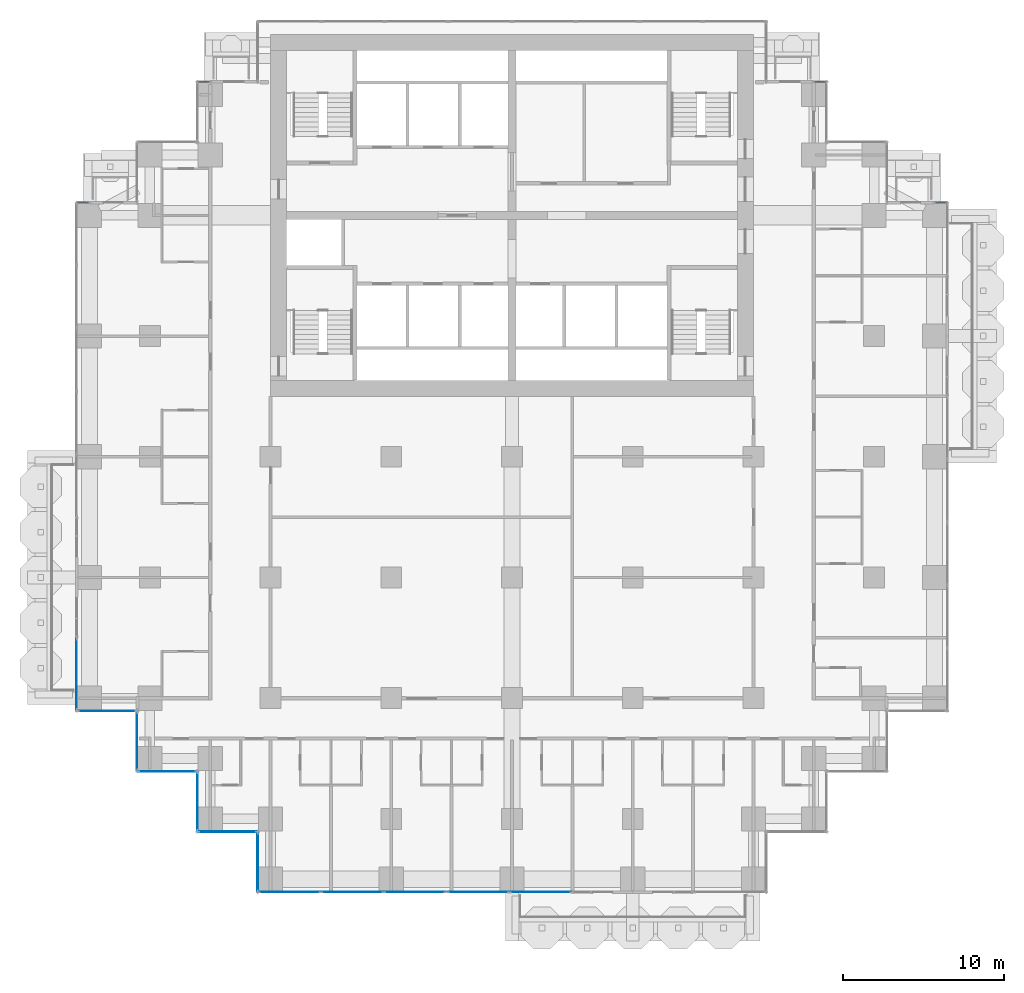
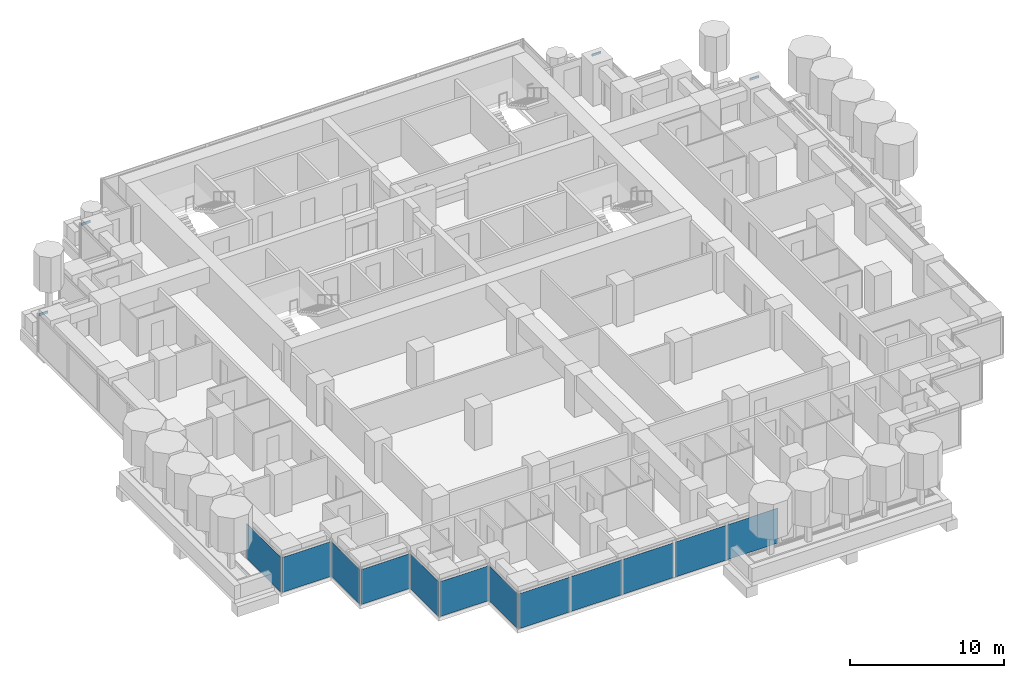
# One storey, part 7 of 20: 12 plates, 4 members, 13 elements without a shape of their own.
"""IFC4 building model written with IfcOpenShell, lengths in metres."""

from ifc_helpers import new_model, si_unit, direction, frame, origin, origin_2d, place, context, subcontext, project, spatial, rectangle, extrude, material, layer, layer_set, material_profile, profile_set, type_object, element, aggregate, save


model = new_model("IFC4")

# Units and contexts
model_context = context("Model", 3, precision=1e-05, world=origin(), true_north=direction((0.0, 1.0)))
body_context = subcontext(model_context, "Body", "Model", "MODEL_VIEW")
ifc_project = project(units=[si_unit("LENGTHUNIT", "METRE"), si_unit("AREAUNIT", "SQUARE_METRE"), si_unit("VOLUMEUNIT", "CUBIC_METRE"), si_unit("PLANEANGLEUNIT", "RADIAN"), si_unit("MASSUNIT", "GRAM", prefix="KILO")], contexts=[model_context])

# Site, building, storey
site_placement = place(None, origin())
site = spatial("IfcSite", under=ifc_project, at=site_placement, CompositionType="ELEMENT")
building_placement = place(site_placement, origin())
building = spatial("IfcBuilding", under=site, at=building_placement, Name="Pilkhan Gate Tower", CompositionType="ELEMENT")
storey_placement = place(building_placement, frame((0.0, 0.0, 98.89990234375)))
storey = spatial("IfcBuildingStorey", under=building, at=storey_placement, Name="L24", CompositionType="ELEMENT", Elevation=98.89990234375)

# Curtain wall, member
ifc_material_1 = material(Name="Pale anodised aluminium, clear low-iron double glazing", Category="aluminium")
curtain_wall_type = type_object("IfcCurtainWallType", Name="Hotel unitised curtain wall CW-H", PredefinedType="USERDEFINED", material=ifc_material_1)
curtain_wall_1_placement = place(storey_placement, origin())
curtain_wall_1 = element("IfcCurtainWall", 1, at=curtain_wall_1_placement, inside=storey, type_object=curtain_wall_type, Name="Hotel unitised curtain wall CW-H L24 N", ObjectType="UNITISED CURTAIN WALL", PredefinedType="USERDEFINED")
ifc_material_2 = material(Name="Pale anodised aluminium", Category="aluminium")
ifc_material_profile = material_profile(ifc_material_2, rectangle(XDim=0.06494140625, YDim=0.179931640625, at=origin_2d()), Name="Transom 180x65")
ifc_profile_set = profile_set([ifc_material_profile], Name="Pale anodised aluminium")
member_type = type_object("IfcMemberType", Name="Transom CW-H 180x65", PredefinedType="USERDEFINED", material=ifc_profile_set)
member_1_placement = place(storey_placement, frame((101.31494140625, 83.294921875, 2.860107421875), z_axis=(1.0, 0.0, 0.0), x_axis=(0.0, 1.0, 0.0)))
member_1 = element("IfcMember", 2, at=member_1_placement, type_object=member_type, Name="CW-H transom 1", ObjectType="TRANSOM", PredefinedType="USERDEFINED", context=body_context, shape_type="SweptSolid", body=[
    extrude(rectangle(XDim=0.06494140625, YDim=0.179931640625, at=origin_2d()), origin(), (0.0, 0.0, 1.0), 0.6650390625),
])
aggregate(curtain_wall_1, [member_1])

curtain_wall_2_placement = place(storey_placement, origin())
curtain_wall_2 = element("IfcCurtainWall", 3, at=curtain_wall_2_placement, inside=storey, type_object=curtain_wall_type, Name="Hotel unitised curtain wall CW-H L24 N", ObjectType="UNITISED CURTAIN WALL", PredefinedType="USERDEFINED")
member_2_placement = place(storey_placement, frame((93.81494140625, 90.794921875, 2.860107421875), z_axis=(1.0, 0.0, 0.0), x_axis=(0.0, 1.0, 0.0)))
member_2 = element("IfcMember", 4, at=member_2_placement, type_object=member_type, Name="CW-H transom 1", ObjectType="TRANSOM", PredefinedType="USERDEFINED", context=body_context, shape_type="SweptSolid", body=[
    extrude(rectangle(XDim=0.06494140625, YDim=0.179931640625, at=origin_2d()), origin(), (0.0, 0.0, 1.0), 0.6650390625),
])
aggregate(curtain_wall_2, [member_2])

curtain_wall_3_placement = place(storey_placement, origin())
curtain_wall_3 = element("IfcCurtainWall", 5, at=curtain_wall_3_placement, inside=storey, type_object=curtain_wall_type, Name="Hotel unitised curtain wall CW-H L24 N", ObjectType="UNITISED CURTAIN WALL", PredefinedType="USERDEFINED")
member_3_placement = place(storey_placement, frame((55.52001953125, 90.794921875, 2.860107421875), z_axis=(1.0, 0.0, 0.0), x_axis=(0.0, 1.0, 0.0)))
member_3 = element("IfcMember", 6, at=member_3_placement, type_object=member_type, Name="CW-H transom 1", ObjectType="TRANSOM", PredefinedType="USERDEFINED", context=body_context, shape_type="SweptSolid", body=[
    extrude(rectangle(XDim=0.06494140625, YDim=0.179931640625, at=origin_2d()), origin(), (0.0, 0.0, 1.0), 0.6650390625),
])
aggregate(curtain_wall_3, [member_3])

curtain_wall_4_placement = place(storey_placement, origin())
curtain_wall_4 = element("IfcCurtainWall", 7, at=curtain_wall_4_placement, inside=storey, type_object=curtain_wall_type, Name="Hotel unitised curtain wall CW-H L24 N", ObjectType="UNITISED CURTAIN WALL", PredefinedType="USERDEFINED")
member_4_placement = place(storey_placement, frame((48.02001953125, 83.294921875, 2.860107421875), z_axis=(1.0, 0.0, 0.0), x_axis=(0.0, 1.0, 0.0)))
member_4 = element("IfcMember", 8, at=member_4_placement, type_object=member_type, Name="CW-H transom 1", ObjectType="TRANSOM", PredefinedType="USERDEFINED", context=body_context, shape_type="SweptSolid", body=[
    extrude(rectangle(XDim=0.06494140625, YDim=0.179931640625, at=origin_2d()), origin(), (0.0, 0.0, 1.0), 0.6650390625),
])
aggregate(curtain_wall_4, [member_4])

# Curtain wall, plate
curtain_wall_5_placement = place(storey_placement, origin())
curtain_wall_5 = element("IfcCurtainWall", 9, at=curtain_wall_5_placement, inside=storey, type_object=curtain_wall_type, Name="Hotel unitised curtain wall CW-H L24 W", ObjectType="UNITISED CURTAIN WALL", PredefinedType="USERDEFINED")
ifc_material_3 = material(Name="Clear low-iron double glazing", Category="glass")
ifc_layer = layer(ifc_material_3, 0.035888671875)
ifc_layer_set = layer_set([ifc_layer], Name="Glass panel CW-H 36")
plate_type = type_object("IfcPlateType", Name="Glass panel CW-H 36", PredefinedType="CURTAIN_PANEL", material=ifc_layer_set)
plate_1_placement = place(storey_placement, frame((47.955078125, 53.9775390625, 0.0), z_axis=(0.0, 0.0, 1.0), x_axis=(0.0, 1.0, 0.0)))
plate_1 = element("IfcPlate", 10, at=plate_1_placement, type_object=plate_type, Name="CW-H panel 1", PredefinedType="CURTAIN_PANEL", context=body_context, shape_type="SweptSolid", body=[
    extrude(rectangle(XDim=4.4150390625, YDim=0.035888671875, at=origin_2d()), origin(), (0.0, 0.0, 1.0), 2.77001953125),
])
aggregate(curtain_wall_5, [plate_1])

curtain_wall_6_placement = place(storey_placement, origin())
curtain_wall_6 = element("IfcCurtainWall", 11, at=curtain_wall_6_placement, inside=storey, type_object=curtain_wall_type, Name="Hotel unitised curtain wall CW-H L24 S", ObjectType="UNITISED CURTAIN WALL", PredefinedType="USERDEFINED")
plate_2_placement = place(storey_placement, frame((49.830078125, 51.705078125, 0.0), z_axis=(0.0, 0.0, 1.0), x_axis=(1.0, 0.0, 0.0)))
plate_2 = element("IfcPlate", 12, at=plate_2_placement, type_object=plate_type, Name="CW-H panel 1", PredefinedType="CURTAIN_PANEL", context=body_context, shape_type="SweptSolid", body=[
    extrude(rectangle(XDim=3.6201171875, YDim=0.035888671875, at=origin_2d()), origin(), (0.0, 0.0, 1.0), 2.77001953125),
])
aggregate(curtain_wall_6, [plate_2])

curtain_wall_7_placement = place(storey_placement, origin())
curtain_wall_7 = element("IfcCurtainWall", 13, at=curtain_wall_7_placement, inside=storey, type_object=curtain_wall_type, Name="Hotel unitised curtain wall CW-H L24 W", ObjectType="UNITISED CURTAIN WALL", PredefinedType="USERDEFINED")
plate_3_placement = place(storey_placement, frame((51.705078125, 49.830078125, 0.0), z_axis=(0.0, 0.0, 1.0), x_axis=(0.0, 1.0, 0.0)))
plate_3 = element("IfcPlate", 14, at=plate_3_placement, type_object=plate_type, Name="CW-H panel 1", PredefinedType="CURTAIN_PANEL", context=body_context, shape_type="SweptSolid", body=[
    extrude(rectangle(XDim=3.6201171875, YDim=0.035888671875, at=origin_2d()), origin(), (0.0, 0.0, 1.0), 2.77001953125),
])
aggregate(curtain_wall_7, [plate_3])

curtain_wall_8_placement = place(storey_placement, origin())
curtain_wall_8 = element("IfcCurtainWall", 15, at=curtain_wall_8_placement, inside=storey, type_object=curtain_wall_type, Name="Hotel unitised curtain wall CW-H L24 S", ObjectType="UNITISED CURTAIN WALL", PredefinedType="USERDEFINED")
plate_4_placement = place(storey_placement, frame((53.580078125, 47.955078125, 0.0), z_axis=(0.0, 0.0, 1.0), x_axis=(1.0, 0.0, 0.0)))
plate_4 = element("IfcPlate", 16, at=plate_4_placement, type_object=plate_type, Name="CW-H panel 1", PredefinedType="CURTAIN_PANEL", context=body_context, shape_type="SweptSolid", body=[
    extrude(rectangle(XDim=3.6201171875, YDim=0.035888671875, at=origin_2d()), origin(), (0.0, 0.0, 1.0), 2.77001953125),
])
aggregate(curtain_wall_8, [plate_4])

curtain_wall_9_placement = place(storey_placement, origin())
curtain_wall_9 = element("IfcCurtainWall", 17, at=curtain_wall_9_placement, inside=storey, type_object=curtain_wall_type, Name="Hotel unitised curtain wall CW-H L24 W", ObjectType="UNITISED CURTAIN WALL", PredefinedType="USERDEFINED")
plate_5_placement = place(storey_placement, frame((55.455078125, 46.080078125, 0.0), z_axis=(0.0, 0.0, 1.0), x_axis=(0.0, 1.0, 0.0)))
plate_5 = element("IfcPlate", 18, at=plate_5_placement, type_object=plate_type, Name="CW-H panel 1", PredefinedType="CURTAIN_PANEL", context=body_context, shape_type="SweptSolid", body=[
    extrude(rectangle(XDim=3.6201171875, YDim=0.035888671875, at=origin_2d()), origin(), (0.0, 0.0, 1.0), 2.77001953125),
])
aggregate(curtain_wall_9, [plate_5])

curtain_wall_10_placement = place(storey_placement, origin())
curtain_wall_10 = element("IfcCurtainWall", 19, at=curtain_wall_10_placement, inside=storey, type_object=curtain_wall_type, Name="Hotel unitised curtain wall CW-H L24 S", ObjectType="UNITISED CURTAIN WALL", PredefinedType="USERDEFINED")
plate_6_placement = place(storey_placement, frame((57.330078125, 44.205078125, 0.0), z_axis=(0.0, 0.0, 1.0), x_axis=(1.0, 0.0, 0.0)))
plate_6 = element("IfcPlate", 20, at=plate_6_placement, type_object=plate_type, Name="CW-H panel 1", PredefinedType="CURTAIN_PANEL", context=body_context, shape_type="SweptSolid", body=[
    extrude(rectangle(XDim=3.6201171875, YDim=0.035888671875, at=origin_2d()), origin(), (0.0, 0.0, 1.0), 2.77001953125),
])
aggregate(curtain_wall_10, [plate_6])

curtain_wall_11_placement = place(storey_placement, origin())
curtain_wall_11 = element("IfcCurtainWall", 21, at=curtain_wall_11_placement, inside=storey, type_object=curtain_wall_type, Name="Hotel unitised curtain wall CW-H L24 W", ObjectType="UNITISED CURTAIN WALL", PredefinedType="USERDEFINED")
plate_7_placement = place(storey_placement, frame((59.205078125, 42.330078125, 0.0), z_axis=(0.0, 0.0, 1.0), x_axis=(0.0, 1.0, 0.0)))
plate_7 = element("IfcPlate", 22, at=plate_7_placement, type_object=plate_type, Name="CW-H panel 1", PredefinedType="CURTAIN_PANEL", context=body_context, shape_type="SweptSolid", body=[
    extrude(rectangle(XDim=3.6201171875, YDim=0.035888671875, at=origin_2d()), origin(), (0.0, 0.0, 1.0), 2.77001953125),
])
aggregate(curtain_wall_11, [plate_7])

# Curtain wall, plates
curtain_wall_12_placement = place(storey_placement, origin())
curtain_wall_12 = element("IfcCurtainWall", 23, at=curtain_wall_12_placement, inside=storey, type_object=curtain_wall_type, Name="Hotel unitised curtain wall CW-H L24 S", ObjectType="UNITISED CURTAIN WALL", PredefinedType="USERDEFINED")
plate_8_placement = place(storey_placement, frame((61.17578125, 40.455078125, 0.0), z_axis=(0.0, 0.0, 1.0), x_axis=(1.0, 0.0, 0.0)))
plate_8 = element("IfcPlate", 24, at=plate_8_placement, type_object=plate_type, Name="CW-H panel 1", PredefinedType="CURTAIN_PANEL", context=body_context, shape_type="SweptSolid", body=[
    extrude(rectangle(XDim=3.8115234375, YDim=0.035888671875, at=origin_2d()), origin(), (0.0, 0.0, 1.0), 2.77001953125),
])
plate_9_placement = place(storey_placement, frame((65.068603515625, 40.455078125, 0.0), z_axis=(0.0, 0.0, 1.0), x_axis=(1.0, 0.0, 0.0)))
plate_9 = element("IfcPlate", 25, at=plate_9_placement, type_object=plate_type, Name="CW-H panel 2", PredefinedType="CURTAIN_PANEL", context=body_context, shape_type="SweptSolid", body=[
    extrude(rectangle(XDim=3.843994140625, YDim=0.035888671875, at=origin_2d()), origin(), (0.0, 0.0, 1.0), 2.77001953125),
])
plate_10_placement = place(storey_placement, frame((68.961181640625, 40.455078125, 0.0), z_axis=(0.0, 0.0, 1.0), x_axis=(1.0, 0.0, 0.0)))
plate_10 = element("IfcPlate", 26, at=plate_10_placement, type_object=plate_type, Name="CW-H panel 3", PredefinedType="CURTAIN_PANEL", context=body_context, shape_type="SweptSolid", body=[
    extrude(rectangle(XDim=3.8115234375, YDim=0.035888671875, at=origin_2d()), origin(), (0.0, 0.0, 1.0), 2.77001953125),
])
aggregate(curtain_wall_12, [plate_8, plate_9, plate_10])

curtain_wall_13_placement = place(storey_placement, origin())
curtain_wall_13 = element("IfcCurtainWall", 27, at=curtain_wall_13_placement, inside=storey, type_object=curtain_wall_type, Name="Hotel unitised curtain wall CW-H L24 S", ObjectType="UNITISED CURTAIN WALL", PredefinedType="USERDEFINED")
plate_11_placement = place(storey_placement, frame((72.90283203125, 40.455078125, 0.0), z_axis=(0.0, 0.0, 1.0), x_axis=(1.0, 0.0, 0.0)))
plate_11 = element("IfcPlate", 28, at=plate_11_placement, type_object=plate_type, Name="CW-H panel 1", PredefinedType="CURTAIN_PANEL", context=body_context, shape_type="SweptSolid", body=[
    extrude(rectangle(XDim=3.8115234375, YDim=0.035888671875, at=origin_2d()), origin(), (0.0, 0.0, 1.0), 2.77001953125),
])
plate_12_placement = place(storey_placement, frame((76.779296875, 40.455078125, 0.0), z_axis=(0.0, 0.0, 1.0), x_axis=(1.0, 0.0, 0.0)))
plate_12 = element("IfcPlate", 29, at=plate_12_placement, type_object=plate_type, Name="CW-H panel 2", PredefinedType="CURTAIN_PANEL", context=body_context, shape_type="SweptSolid", body=[
    extrude(rectangle(XDim=3.8115234375, YDim=0.035888671875, at=origin_2d()), origin(), (0.0, 0.0, 1.0), 2.77001953125),
])
aggregate(curtain_wall_13, [plate_11, plate_12])

save(model, "model.ifc")
